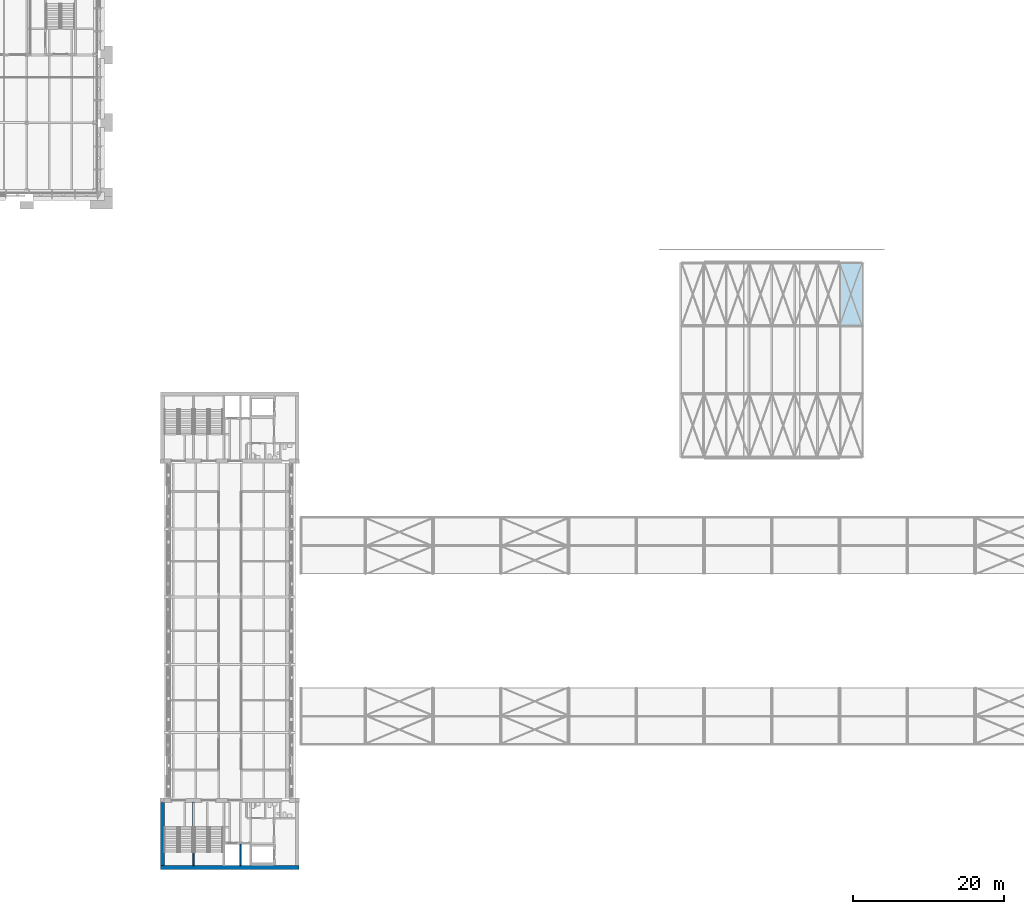
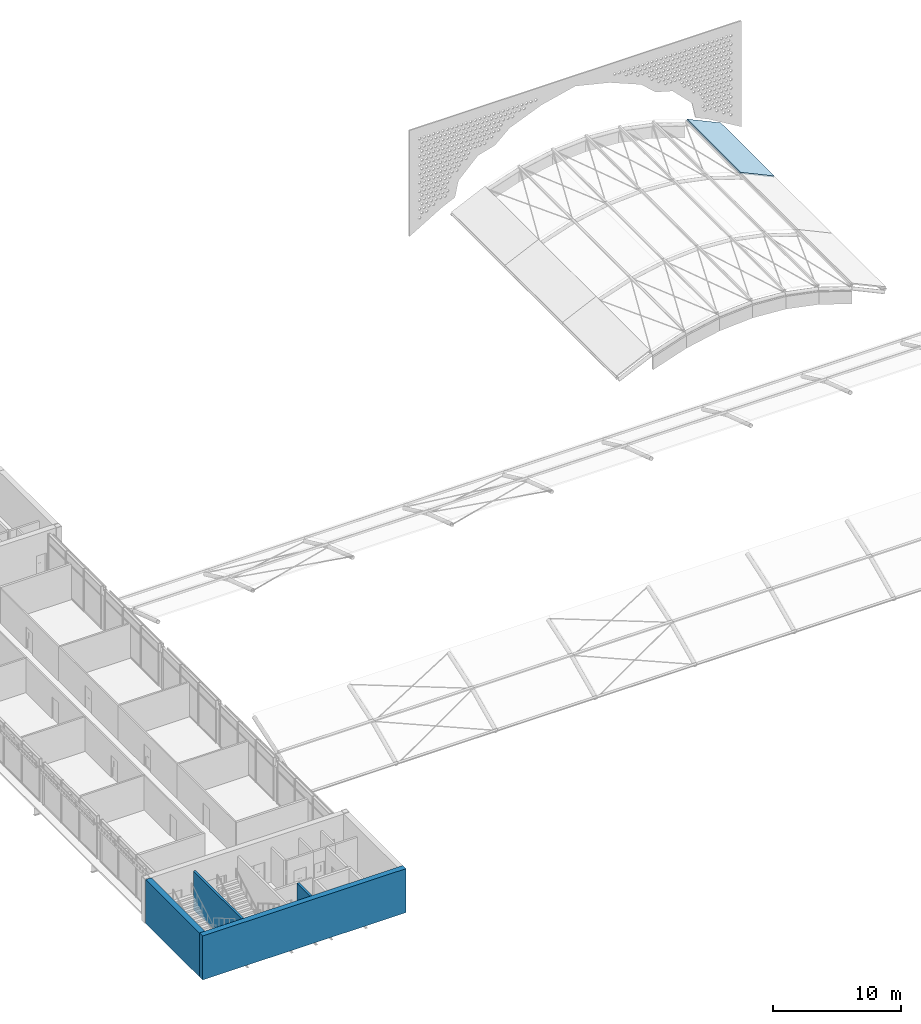
# One storey, part 21 of 54: 4 walls, 1 slab.
"""IFC4 building model written with IfcOpenShell, lengths in metres."""

from ifc_helpers import new_model, si_unit, direction, frame, frame_2d, origin, place, context, subcontext, project, spatial, polyline, rectangle, outline, extrude, material, layer, layer_set, type_object, element, save


model = new_model("IFC4")

# Units and contexts
model_context = context("Model", 3, precision=1e-05, world=origin(), true_north=direction((0.0, 1.0)))
body_context = subcontext(model_context, "Body", "Model", "MODEL_VIEW")
ifc_project = project(units=[si_unit("LENGTHUNIT", "METRE"), si_unit("AREAUNIT", "SQUARE_METRE"), si_unit("VOLUMEUNIT", "CUBIC_METRE"), si_unit("PLANEANGLEUNIT", "RADIAN"), si_unit("MASSUNIT", "GRAM", prefix="KILO")], contexts=[model_context])

# Site, building, storey
site_placement = place(None, origin())
site = spatial("IfcSite", under=ifc_project, at=site_placement, CompositionType="ELEMENT")
building_placement = place(site_placement, origin())
building = spatial("IfcBuilding", under=site, at=building_placement, Name="Baradari Gate Terminus", CompositionType="ELEMENT")
storey_placement = place(building_placement, frame((0.0, 0.0, 15.89990234375)))
storey = spatial("IfcBuildingStorey", under=building, at=storey_placement, Name="L03", CompositionType="ELEMENT", Elevation=15.89990234375)

# Slab
ifc_material_1 = material(Name="Aluminium", Category="aluminium")
ifc_layer_1 = layer(ifc_material_1, 0.1201171875)
ifc_layer_set_1 = layer_set([ifc_layer_1], Name="Aluminium")
slab_type = type_object("IfcSlabType", Name="Hall vault roof panel", PredefinedType="ROOF", material=ifc_layer_set_1)
slab_placement = place(storey_placement, frame((162.136962890625, 99.0, 1.77392578125), z_axis=(0.421483999312, 0.0, 0.906835838685), x_axis=(0.0, 1.0, 0.0)))
element("IfcSlab", 1, at=slab_placement, inside=storey, type_object=slab_type, Name="RF/L03/VR3-RP09", PredefinedType="ROOF", context=body_context, shape_type="SweptSolid", body=[
    extrude(outline(polyline([(0.0, 0.0), (8.39990234375, 0.0), (8.39990234375, -3.3485896390599814), (0.0, -3.3485896390599814), (0.0, 0.0)])), origin(), (0.0, 0.0, -1.0), 0.1201171875),
])

# Walls
ifc_material_2 = material(Name="Concrete C40/50", Category="concrete")
ifc_layer_2 = layer(ifc_material_2, 0.5)
ifc_layer_set_2 = layer_set([ifc_layer_2], Name="Concrete C40/50")
wall_type_1 = type_object("IfcWallType", Name="Abutment core wall CWL05 500", PredefinedType="SOLIDWALL", material=ifc_layer_set_2)
wall_1_placement = place(storey_placement, frame((71.800048828125, 27.050048828125, 0.0), z_axis=(0.0, 0.0, 1.0), x_axis=(1.0, 0.0, 0.0)))
element("IfcWall", 2, at=wall_1_placement, inside=storey, type_object=wall_type_1, Name="Abutment core wall GS S L03", PredefinedType="SOLIDWALL", context=body_context, shape_type="SweptSolid", body=[
    extrude(rectangle(XDim=18.39990234375, YDim=0.5, at=frame_2d((9.199951171875, 0.0))), origin(), (0.0, 0.0, 1.0), 4.2001953125),
])
wall_2_placement = place(storey_placement, frame((72.050048828125, 27.300048828125, 0.0), z_axis=(0.0, 0.0, 1.0), x_axis=(0.0, 1.0, 0.0)))
element("IfcWall", 3, at=wall_2_placement, inside=storey, type_object=wall_type_1, Name="Abutment core wall GS W L03", PredefinedType="SOLIDWALL", context=body_context, shape_type="SweptSolid", body=[
    extrude(rectangle(XDim=8.39990234375, YDim=0.5, at=frame_2d((4.199951171875, 0.0))), origin(), (0.0, 0.0, 1.0), 4.2001953125),
])
ifc_material_3 = material(Name="Blockwork wall, fire rated", Category="masonry")
ifc_layer_3 = layer(ifc_material_3, 0.199951171875)
ifc_layer_set_3 = layer_set([ifc_layer_3], Name="Blockwork wall, fire rated")
wall_type_2 = type_object("IfcWallType", Name="Lift shaft wall SH-1 200 EI 120", PredefinedType="SOLIDWALL", material=ifc_layer_set_3)
wall_3_placement = place(storey_placement, frame((82.39990234375, 27.302001953125, 0.0), z_axis=(0.0, 0.0, 1.0), x_axis=(0.0, 1.0, 0.0)))
element("IfcWall", 4, at=wall_3_placement, inside=storey, type_object=wall_type_2, Name="Lift shaft wall LGS1 L03 E", PredefinedType="SOLIDWALL", context=body_context, shape_type="SweptSolid", body=[
    extrude(rectangle(XDim=2.89794921875, YDim=0.199951171875, at=frame_2d((1.448974609375, 0.0))), origin(), (0.0, 0.0, 1.0), 3.51611328125),
])
ifc_material_4 = material(Name="Concrete C40/50", Category="concrete")
ifc_layer_4 = layer(ifc_material_4, 0.199951171875)
ifc_layer_set_4 = layer_set([ifc_layer_4], Name="Concrete C40/50")
wall_type_3 = type_object("IfcWallType", Name="Stair enclosure wall SE-4 200 EI 120", PredefinedType="SOLIDWALL", material=ifc_layer_set_4)
wall_4_placement = place(storey_placement, frame((76.199951171875, 27.302001953125, -0.14990234375), z_axis=(0.0, 0.0, 1.0), x_axis=(0.0, 1.0, 0.0)))
element("IfcWall", 5, at=wall_4_placement, inside=storey, type_object=wall_type_3, Name="Stair enclosure wall SE-4 ST-GS1 L03 E", PredefinedType="SOLIDWALL", context=body_context, shape_type="SweptSolid", body=[
    extrude(rectangle(XDim=8.39599609375, YDim=0.199951171875, at=frame_2d((4.197998046875, 0.0))), origin(), (0.0, 0.0, 1.0), 3.666015625),
])

save(model, "model.ifc")
